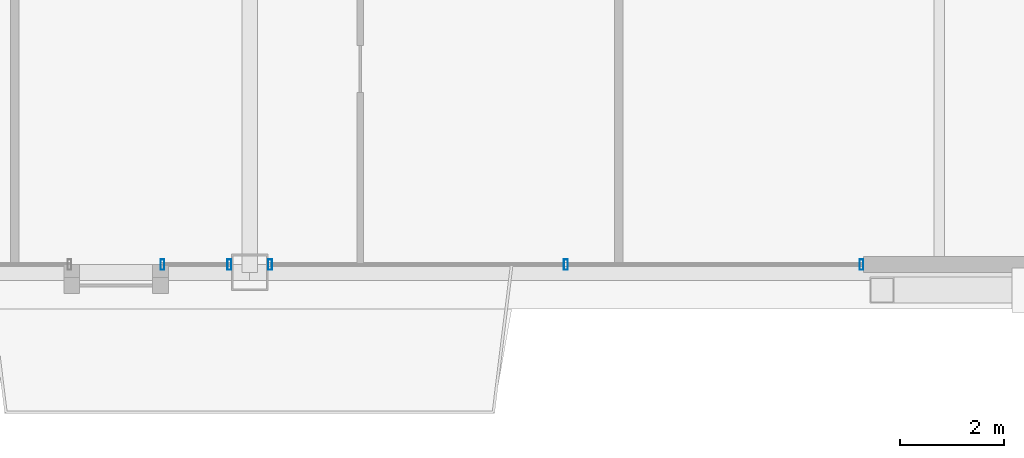
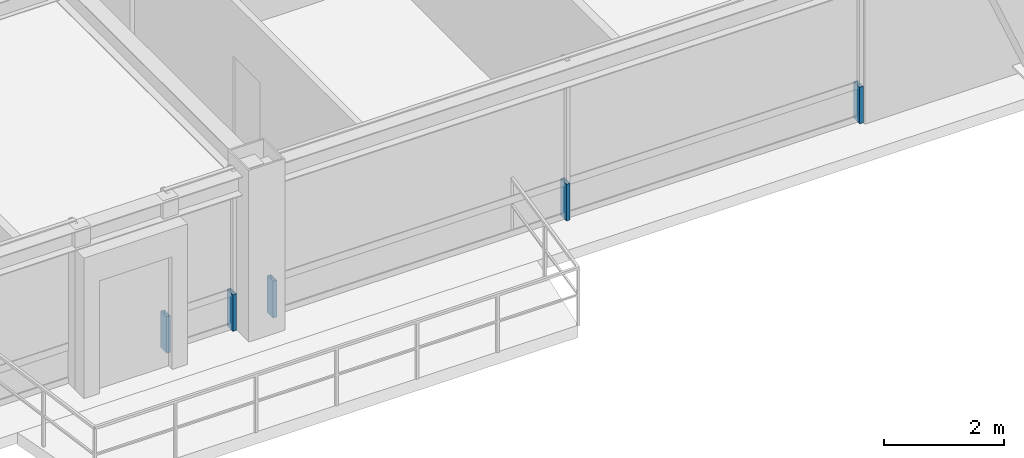
# One storey, part 22 of 35: 5 members, 2 elements without a shape of their own.
"""IFC4 building model written with IfcOpenShell, lengths in metres."""

from ifc_helpers import new_model, si_unit, direction, frame, origin, origin_2d, place, context, subcontext, project, spatial, hollow_rectangle, extrude, source, transform, mapped, material, layer, layer_set, material_profile, profile_set, type_object, element, aggregate, save


model = new_model("IFC4")

# Units and contexts
model_context = context("Model", 3, precision=1e-05, world=origin(), true_north=direction((0.0, 1.0)))
body_context = subcontext(model_context, "Body", "Model", "MODEL_VIEW")
ifc_project = project(units=[si_unit("LENGTHUNIT", "METRE"), si_unit("AREAUNIT", "SQUARE_METRE"), si_unit("VOLUMEUNIT", "CUBIC_METRE"), si_unit("PLANEANGLEUNIT", "RADIAN"), si_unit("MASSUNIT", "GRAM", prefix="KILO"), si_unit("THERMODYNAMICTEMPERATUREUNIT", "KELVIN"), si_unit("POWERUNIT", "WATT")], contexts=[model_context])

# Site, building, storey
site_placement = place(None, origin())
site = spatial("IfcSite", under=ifc_project, at=site_placement, CompositionType="ELEMENT")
building_placement = place(site_placement, origin())
building = spatial("IfcBuilding", under=site, at=building_placement, Name="Yuzanri Waterfront Tower", CompositionType="ELEMENT")
storey_placement = place(building_placement, frame((0.0, 0.0, 335.699951171875)))
storey = spatial("IfcBuildingStorey", under=building, at=storey_placement, Name="L90", CompositionType="ELEMENT", Elevation=335.699951171875)

# Curtain wall, members
ifc_material_1 = material(Name="Anodized Architectural Bronze", Category="metal")
ifc_layer = layer(ifc_material_1, 0.159912109375)
ifc_layer_set = layer_set([ifc_layer], Name="Anodized Architectural Bronze")
curtain_wall_type = type_object("IfcCurtainWallType", Name="Anodized Bronze High-Rise Penthouse High-Wind Unitized Curtain Wall 6900", PredefinedType="NOTDEFINED", material=ifc_layer_set)
curtain_wall_1_placement = place(storey_placement, origin())
curtain_wall_1 = element("IfcCurtainWall", 1, at=curtain_wall_1_placement, inside=storey, type_object=curtain_wall_type, Name="L90 Curtain Wall CW-L90-SL2", PredefinedType="NOTDEFINED")
ifc_material_2 = material(Name="Anodized Architectural Bronze", Category="metal")
ifc_material_profile = material_profile(ifc_material_2, hollow_rectangle(XDim=0.074951171875, YDim=0.199951171875, WallThickness=0.00390625, at=origin_2d()), Name="CWM 75x200")
ifc_profile_set = profile_set([ifc_material_profile], Name="Anodized Architectural Bronze")
member_type = type_object("IfcMemberType", Name="Anodized Bronze Primary Curtain-Wall Mullion 75x200", PredefinedType="MULLION", material=ifc_profile_set)
shared_shape = source(origin(), body_context, "Body", "SweptSolid", [
    extrude(hollow_rectangle(XDim=0.074951171875, YDim=0.199951171875, WallThickness=0.00390625, at=origin_2d()), origin(), (0.0, 0.0, 1.0), 0.748046875),
])
member_1_placement = place(storey_placement, frame((35.33203125, 6.85009765625, 0.0), z_axis=(0.0, 0.0, 1.0), x_axis=(1.0, 0.0, 0.0)))
member_1 = element("IfcMember", 2, at=member_1_placement, type_object=member_type, Name="CW-L90-SL2 Lower Mullion 00", PredefinedType="MULLION", context=body_context, shape_type="MappedRepresentation", body=[
    mapped(shared_shape, transform((0.0, 0.0, 0.0), scale=1.0)),
])
member_2_placement = place(storey_placement, frame((36.610107421875, 6.85009765625, 0.0), z_axis=(0.0, 0.0, 1.0), x_axis=(1.0, 0.0, 0.0)))
member_2 = element("IfcMember", 3, at=member_2_placement, type_object=member_type, Name="CW-L90-SL2 Lower Mullion 01", PredefinedType="MULLION", context=body_context, shape_type="MappedRepresentation", body=[
    mapped(shared_shape, transform((0.0, 0.0, 0.0), scale=1.0)),
])
aggregate(curtain_wall_1, [member_1, member_2])

curtain_wall_2_placement = place(storey_placement, origin())
curtain_wall_2 = element("IfcCurtainWall", 4, at=curtain_wall_2_placement, inside=storey, type_object=curtain_wall_type, Name="L90 Curtain Wall CW-L90-SR", PredefinedType="NOTDEFINED")
member_3_placement = place(storey_placement, frame((37.389892578125, 6.85009765625, 0.0), z_axis=(0.0, 0.0, 1.0), x_axis=(1.0, 0.0, 0.0)))
member_3 = element("IfcMember", 5, at=member_3_placement, type_object=member_type, Name="CW-L90-SR Lower Mullion 00", PredefinedType="MULLION", context=body_context, shape_type="MappedRepresentation", body=[
    mapped(shared_shape, transform((0.0, 0.0, 0.0), scale=1.0)),
])
member_4_placement = place(storey_placement, frame((43.050048828125, 6.85009765625, 0.0), z_axis=(0.0, 0.0, 1.0), x_axis=(1.0, 0.0, 0.0)))
member_4 = element("IfcMember", 6, at=member_4_placement, type_object=member_type, Name="CW-L90-SR Lower Mullion 01", PredefinedType="MULLION", context=body_context, shape_type="MappedRepresentation", body=[
    mapped(shared_shape, transform((0.0, 0.0, 0.0), scale=1.0)),
])
member_5_placement = place(storey_placement, frame((48.7099609375, 6.85009765625, 0.0), z_axis=(0.0, 0.0, 1.0), x_axis=(1.0, 0.0, 0.0)))
member_5 = element("IfcMember", 7, at=member_5_placement, type_object=member_type, Name="CW-L90-SR Lower Mullion 02", PredefinedType="MULLION", context=body_context, shape_type="MappedRepresentation", body=[
    mapped(shared_shape, transform((0.0, 0.0, 0.0), scale=1.0)),
])
aggregate(curtain_wall_2, [member_3, member_4, member_5])

save(model, "model.ifc")
